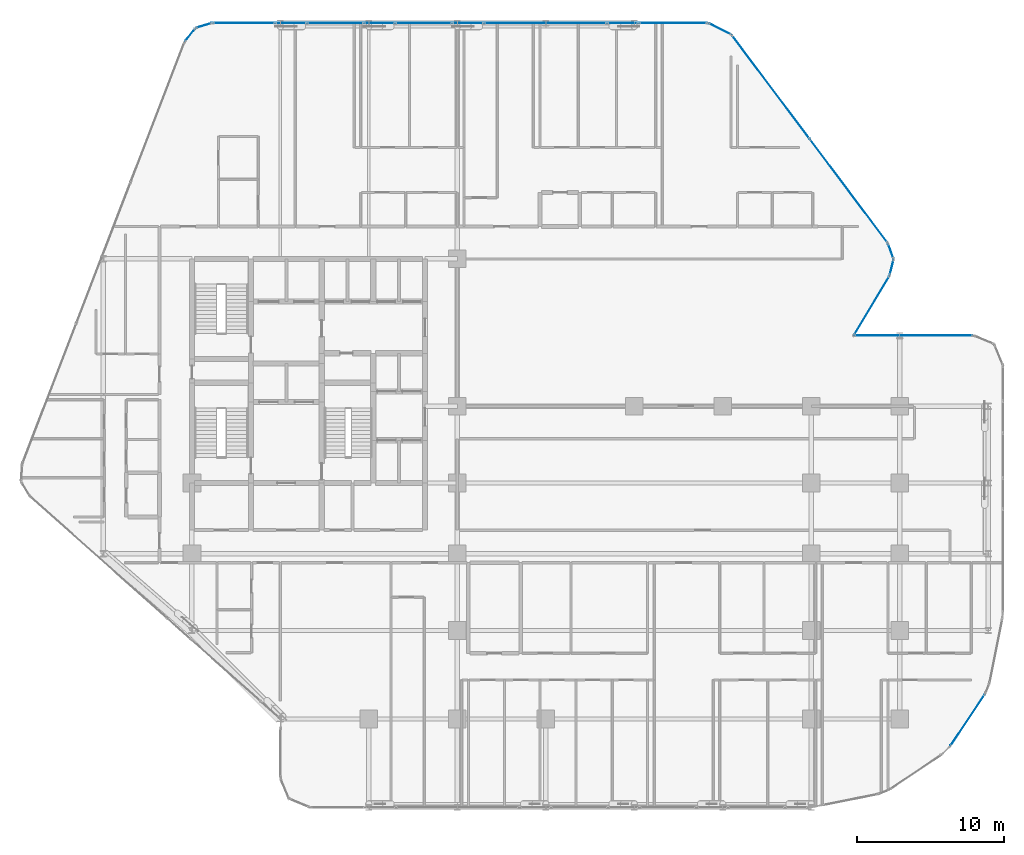
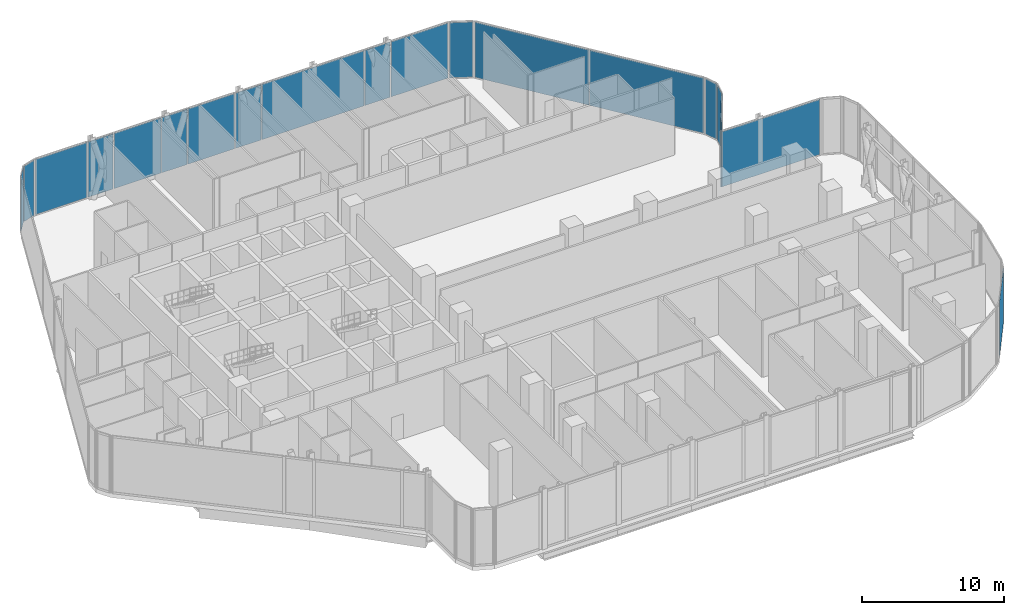
# One storey, part 25 of 36: 19 plates, 18 elements without a shape of their own.
"""IFC4 building model written with IfcOpenShell, lengths in metres."""

from ifc_helpers import new_model, si_unit, direction, frame, origin, origin_2d, place, context, subcontext, project, spatial, rectangle, extrude, material, layer, layer_set, type_object, element, aggregate, save


model = new_model("IFC4")

# Units and contexts
model_context = context("Model", 3, precision=1e-05, world=origin(), true_north=direction((0.0, 1.0)))
body_context = subcontext(model_context, "Body", "Model", "MODEL_VIEW")
ifc_project = project(units=[si_unit("LENGTHUNIT", "METRE"), si_unit("AREAUNIT", "SQUARE_METRE"), si_unit("VOLUMEUNIT", "CUBIC_METRE"), si_unit("PLANEANGLEUNIT", "RADIAN"), si_unit("MASSUNIT", "GRAM", prefix="KILO")], contexts=[model_context])

# Site, building, storey
site_placement = place(None, origin())
site = spatial("IfcSite", under=ifc_project, at=site_placement, CompositionType="ELEMENT")
building_placement = place(site_placement, origin())
building = spatial("IfcBuilding", under=site, at=building_placement, Name="Keshet Zoharim Tower", CompositionType="ELEMENT")
storey_placement = place(building_placement, frame((0.0, 0.0, 81.199951171875)))
storey = spatial("IfcBuildingStorey", under=building, at=storey_placement, Name="L19", CompositionType="ELEMENT", Elevation=81.199951171875)

# Curtain wall, plate
ifc_material_1 = material(Name="Aluminium 6063-T6", Category="aluminium")
ifc_layer_1 = layer(ifc_material_1, 0.179931640625)
ifc_layer_set_1 = layer_set([ifc_layer_1], Name="Aluminium 6063-T6")
curtain_wall_type_1 = type_object("IfcCurtainWallType", Name="CW-SYS-01", PredefinedType="NOTDEFINED", material=ifc_layer_set_1)
curtain_wall_1_placement = place(storey_placement, origin())
curtain_wall_1 = element("IfcCurtainWall", 1, at=curtain_wall_1_placement, inside=storey, type_object=curtain_wall_type_1, Name="L19 Unitised Curtain Wall 05", PredefinedType="NOTDEFINED")
ifc_material_2 = material(Name="Insulated Low-E Clear Glass", Category="glass")
ifc_layer_2 = layer(ifc_material_2, 0.035888671875)
ifc_layer_set_2 = layer_set([ifc_layer_2], Name="Insulated Low-E Clear Glass")
plate_type_1 = type_object("IfcPlateType", Name="CWP-01", PredefinedType="CURTAIN_PANEL", material=ifc_layer_set_2)
plate_1_placement = place(storey_placement, frame((14.8740234375, 53.08349609375, 0.070068359375), z_axis=(0.0, 0.0, 1.0), x_axis=(0.619124525989, 0.785292825205, 0.0)))
plate_1 = element("IfcPlate", 2, at=plate_1_placement, type_object=plate_type_1, Name="CW-01 panel 1.1", PredefinedType="CURTAIN_PANEL", context=body_context, shape_type="SweptSolid", body=[
    extrude(rectangle(XDim=1.045654296875, YDim=0.035888671875, at=origin_2d()), origin(), (0.0, 0.0, 1.0), 4.7451171875),
])
aggregate(curtain_wall_1, [plate_1])

curtain_wall_2_placement = place(storey_placement, origin())
curtain_wall_2 = element("IfcCurtainWall", 3, at=curtain_wall_2_placement, inside=storey, type_object=curtain_wall_type_1, Name="L19 Unitised Curtain Wall 06", PredefinedType="NOTDEFINED")
plate_2_placement = place(storey_placement, frame((15.8076171875, 53.724609375, 0.070068359375), z_axis=(0.0, 0.0, 1.0), x_axis=(0.955212151288, 0.295921857984, 0.0)))
plate_2 = element("IfcPlate", 4, at=plate_2_placement, type_object=plate_type_1, Name="CW-01 panel 1.1", PredefinedType="CURTAIN_PANEL", context=body_context, shape_type="SweptSolid", body=[
    extrude(rectangle(XDim=1.046142578125, YDim=0.035888671875, at=origin_2d()), origin(), (0.0, 0.0, 1.0), 4.7451171875),
])
aggregate(curtain_wall_2, [plate_2])

curtain_wall_3_placement = place(storey_placement, origin())
curtain_wall_3 = element("IfcCurtainWall", 5, at=curtain_wall_3_placement, inside=storey, type_object=curtain_wall_type_1, Name="L19 Unitised Curtain Wall 12", PredefinedType="NOTDEFINED")
plate_3_placement = place(storey_placement, frame((61.093994140625, 34.723388671875, 0.070068359375), z_axis=(0.0, 0.0, 1.0), x_axis=(-0.51446459506, -0.857511621163, 0.0)))
plate_3 = element("IfcPlate", 6, at=plate_3_placement, type_object=plate_type_1, Name="CW-01 panel 1.1", PredefinedType="CURTAIN_PANEL", context=body_context, shape_type="SweptSolid", body=[
    extrude(rectangle(XDim=4.57958984375, YDim=0.035888671875, at=origin_2d()), origin(), (0.0, 0.0, 1.0), 4.7451171875),
])
aggregate(curtain_wall_3, [plate_3])

curtain_wall_4_placement = place(storey_placement, origin())
curtain_wall_4 = element("IfcCurtainWall", 7, at=curtain_wall_4_placement, inside=storey, type_object=curtain_wall_type_1, Name="L19 Unitised Curtain Wall 20", PredefinedType="NOTDEFINED")
plate_4_placement = place(storey_placement, frame((67.60107421875, 6.615966796875, 0.070068359375), z_axis=(0.0, 0.0, 1.0), x_axis=(-0.555563243758, -0.831474282335, 0.0)))
plate_4 = element("IfcPlate", 8, at=plate_4_placement, type_object=plate_type_1, Name="CW-01 panel 1.1", PredefinedType="CURTAIN_PANEL", context=body_context, shape_type="SweptSolid", body=[
    extrude(rectangle(XDim=4.13671875, YDim=0.035888671875, at=origin_2d()), origin(), (0.0, 0.0, 1.0), 4.7451171875),
])
aggregate(curtain_wall_4, [plate_4])

ifc_layer_3 = layer(ifc_material_1, 0.169921875)
ifc_layer_set_3 = layer_set([ifc_layer_3], Name="Aluminium 6063-T6")
curtain_wall_type_2 = type_object("IfcCurtainWallType", Name="CW-SYS-02", PredefinedType="NOTDEFINED", material=ifc_layer_set_3)
curtain_wall_5_placement = place(storey_placement, origin())
curtain_wall_5 = element("IfcCurtainWall", 9, at=curtain_wall_5_placement, inside=storey, type_object=curtain_wall_type_2, Name="L19 Unitised Curtain Wall 07", PredefinedType="NOTDEFINED")
ifc_layer_4 = layer(ifc_material_2, 0.031982421875)
ifc_layer_set_4 = layer_set([ifc_layer_4], Name="Insulated Low-E Clear Glass")
plate_type_2 = type_object("IfcPlateType", Name="CWP-02", PredefinedType="CURTAIN_PANEL", material=ifc_layer_set_4)
plate_5_placement = place(storey_placement, frame((18.52783203125, 53.89990234375, 0.070068359375), z_axis=(0.0, 0.0, 1.0), x_axis=(1.0, 0.0, 0.0)))
plate_5 = element("IfcPlate", 10, at=plate_5_placement, type_object=plate_type_2, Name="CW-02 panel 1.1", PredefinedType="CURTAIN_PANEL", context=body_context, shape_type="SweptSolid", body=[
    extrude(rectangle(XDim=4.16748046875, YDim=0.031982421875, at=origin_2d()), origin(), (0.0, 0.0, 1.0), 4.7451171875),
])
aggregate(curtain_wall_5, [plate_5])

curtain_wall_6_placement = place(storey_placement, origin())
curtain_wall_6 = element("IfcCurtainWall", 11, at=curtain_wall_6_placement, inside=storey, type_object=curtain_wall_type_2, Name="L19 Unitised Curtain Wall 07 Part 3", PredefinedType="NOTDEFINED")
plate_6_placement = place(storey_placement, frame((24.715087890625, 53.89990234375, 0.070068359375), z_axis=(0.0, 0.0, 1.0), x_axis=(1.0, 0.0, 0.0)))
plate_6 = element("IfcPlate", 12, at=plate_6_placement, type_object=plate_type_2, Name="CW-02 panel 1.1", PredefinedType="CURTAIN_PANEL", context=body_context, shape_type="SweptSolid", body=[
    extrude(rectangle(XDim=3.793212890625, YDim=0.031982421875, at=origin_2d()), origin(), (0.0, 0.0, 1.0), 4.7451171875),
])
aggregate(curtain_wall_6, [plate_6])

curtain_wall_7_placement = place(storey_placement, origin())
curtain_wall_7 = element("IfcCurtainWall", 13, at=curtain_wall_7_placement, inside=storey, type_object=curtain_wall_type_2, Name="L19 Unitised Curtain Wall 07 Part 5", PredefinedType="NOTDEFINED")
plate_7_placement = place(storey_placement, frame((30.715087890625, 53.89990234375, 0.070068359375), z_axis=(0.0, 0.0, 1.0), x_axis=(1.0, 0.0, 0.0)))
plate_7 = element("IfcPlate", 14, at=plate_7_placement, type_object=plate_type_2, Name="CW-02 panel 1.1", PredefinedType="CURTAIN_PANEL", context=body_context, shape_type="SweptSolid", body=[
    extrude(rectangle(XDim=3.793212890625, YDim=0.031982421875, at=origin_2d()), origin(), (0.0, 0.0, 1.0), 4.7451171875),
])
aggregate(curtain_wall_7, [plate_7])

curtain_wall_8_placement = place(storey_placement, origin())
curtain_wall_8 = element("IfcCurtainWall", 15, at=curtain_wall_8_placement, inside=storey, type_object=curtain_wall_type_2, Name="L19 Unitised Curtain Wall 07 Part 7", PredefinedType="NOTDEFINED")
plate_8_placement = place(storey_placement, frame((38.965087890625, 53.89990234375, 0.070068359375), z_axis=(0.0, 0.0, 1.0), x_axis=(1.0, 0.0, 0.0)))
plate_8 = element("IfcPlate", 16, at=plate_8_placement, type_object=plate_type_2, Name="CW-02 panel 1.1", PredefinedType="CURTAIN_PANEL", context=body_context, shape_type="SweptSolid", body=[
    extrude(rectangle(XDim=8.293212890625, YDim=0.031982421875, at=origin_2d()), origin(), (0.0, 0.0, 1.0), 4.7451171875),
])
aggregate(curtain_wall_8, [plate_8])

curtain_wall_9_placement = place(storey_placement, origin())
curtain_wall_9 = element("IfcCurtainWall", 17, at=curtain_wall_9_placement, inside=storey, type_object=curtain_wall_type_2, Name="L19 Unitised Curtain Wall 07 Part 9", PredefinedType="NOTDEFINED")
plate_9_placement = place(storey_placement, frame((47.624267578125, 53.89990234375, 0.070068359375), z_axis=(0.0, 0.0, 1.0), x_axis=(1.0, 0.0, 0.0)))
plate_9 = element("IfcPlate", 18, at=plate_9_placement, type_object=plate_type_2, Name="CW-02 panel 1.1", PredefinedType="CURTAIN_PANEL", context=body_context, shape_type="SweptSolid", body=[
    extrude(rectangle(XDim=4.611572265625, YDim=0.031982421875, at=origin_2d()), origin(), (0.0, 0.0, 1.0), 4.7451171875),
])
aggregate(curtain_wall_9, [plate_9])

curtain_wall_10_placement = place(storey_placement, origin())
curtain_wall_10 = element("IfcCurtainWall", 19, at=curtain_wall_10_placement, inside=storey, type_object=curtain_wall_type_2, Name="L19 Unitised Curtain Wall 08", PredefinedType="NOTDEFINED")
plate_10_placement = place(storey_placement, frame((50.800048828125, 53.5, 0.070068359375), z_axis=(0.0, 0.0, 1.0), x_axis=(0.894427191001, -0.447213595499, 0.0)))
plate_10 = element("IfcPlate", 20, at=plate_10_placement, type_object=plate_type_2, Name="CW-02 panel 1.1", PredefinedType="CURTAIN_PANEL", context=body_context, shape_type="SweptSolid", body=[
    extrude(rectangle(XDim=1.64892578125, YDim=0.031982421875, at=origin_2d()), origin(), (0.0, 0.0, 1.0), 4.7451171875),
])
aggregate(curtain_wall_10, [plate_10])

# Curtain wall, plates
curtain_wall_11_placement = place(storey_placement, origin())
curtain_wall_11 = element("IfcCurtainWall", 21, at=curtain_wall_11_placement, inside=storey, type_object=curtain_wall_type_2, Name="L19 Unitised Curtain Wall 09", PredefinedType="NOTDEFINED")
plate_11_placement = place(storey_placement, frame((54.2587890625, 49.554931640625, 0.070068359375), z_axis=(0.0, 0.0, 1.0), x_axis=(0.600000000002, -0.799999999998, 0.0)))
plate_11 = element("IfcPlate", 22, at=plate_11_placement, type_object=plate_type_2, Name="CW-02 panel 1.1", PredefinedType="CURTAIN_PANEL", context=body_context, shape_type="SweptSolid", body=[
    extrude(rectangle(XDim=8.722412109375, YDim=0.031982421875, at=origin_2d()), origin(), (0.0, 0.0, 1.0), 4.7451171875),
])
plate_12_placement = place(storey_placement, frame((59.5341796875, 42.52099609375, 0.070068359375), z_axis=(0.0, 0.0, 1.0), x_axis=(0.600000000002, -0.799999999998, 0.0)))
plate_12 = element("IfcPlate", 23, at=plate_12_placement, type_object=plate_type_2, Name="CW-02 panel 2.1", PredefinedType="CURTAIN_PANEL", context=body_context, shape_type="SweptSolid", body=[
    extrude(rectangle(XDim=8.722412109375, YDim=0.031982421875, at=origin_2d()), origin(), (0.0, 0.0, 1.0), 4.7451171875),
])
aggregate(curtain_wall_11, [plate_11, plate_12])

# Curtain wall, plate
curtain_wall_12_placement = place(storey_placement, origin())
curtain_wall_12 = element("IfcCurtainWall", 24, at=curtain_wall_12_placement, inside=storey, type_object=curtain_wall_type_2, Name="L19 Unitised Curtain Wall 10", PredefinedType="NOTDEFINED")
plate_13_placement = place(storey_placement, frame((62.3916015625, 38.427490234375, 0.070068359375), z_axis=(0.0, 0.0, 1.0), x_axis=(0.340297354046, -0.940317877544, 0.0)))
plate_13 = element("IfcPlate", 25, at=plate_13_placement, type_object=plate_type_2, Name="CW-02 panel 1.1", PredefinedType="CURTAIN_PANEL", context=body_context, shape_type="SweptSolid", body=[
    extrude(rectangle(XDim=1.026611328125, YDim=0.031982421875, at=origin_2d()), origin(), (0.0, 0.0, 1.0), 4.7451171875),
])
aggregate(curtain_wall_12, [plate_13])

curtain_wall_13_placement = place(storey_placement, origin())
curtain_wall_13 = element("IfcCurtainWall", 26, at=curtain_wall_13_placement, inside=storey, type_object=curtain_wall_type_2, Name="L19 Unitised Curtain Wall 11", PredefinedType="NOTDEFINED")
plate_14_placement = place(storey_placement, frame((62.448974609375, 37.31298828125, 0.070068359375), z_axis=(0.0, 0.0, 1.0), x_axis=(-0.241728770141, -0.970343857447, 0.0)))
plate_14 = element("IfcPlate", 27, at=plate_14_placement, type_object=plate_type_2, Name="CW-02 panel 1.1", PredefinedType="CURTAIN_PANEL", context=body_context, shape_type="SweptSolid", body=[
    extrude(rectangle(XDim=1.026611328125, YDim=0.031982421875, at=origin_2d()), origin(), (0.0, 0.0, 1.0), 4.7451171875),
])
aggregate(curtain_wall_13, [plate_14])

curtain_wall_14_placement = place(storey_placement, origin())
curtain_wall_14 = element("IfcCurtainWall", 28, at=curtain_wall_14_placement, inside=storey, type_object=curtain_wall_type_2, Name="L19 Unitised Curtain Wall 13", PredefinedType="NOTDEFINED")
plate_15_placement = place(storey_placement, frame((63.93994140625, 32.699951171875, 0.070068359375), z_axis=(0.0, 0.0, 1.0), x_axis=(1.0, 0.0, 0.0)))
plate_15 = element("IfcPlate", 29, at=plate_15_placement, type_object=plate_type_2, Name="CW-02 panel 1.1", PredefinedType="CURTAIN_PANEL", context=body_context, shape_type="SweptSolid", body=[
    extrude(rectangle(XDim=7.97998046875, YDim=0.031982421875, at=origin_2d()), origin(), (0.0, 0.0, 1.0), 4.7451171875),
])
aggregate(curtain_wall_14, [plate_15])

curtain_wall_15_placement = place(storey_placement, origin())
curtain_wall_15 = element("IfcCurtainWall", 30, at=curtain_wall_15_placement, inside=storey, type_object=curtain_wall_type_2, Name="L19 Unitised Curtain Wall 07 Part 2", PredefinedType="NOTDEFINED")
ifc_material_3 = material(Name="Insulated Aluminium Spandrel Panel", Category="aluminium")
ifc_layer_5 = layer(ifc_material_3, 0.031982421875)
ifc_layer_set_5 = layer_set([ifc_layer_5], Name="Insulated Aluminium Spandrel Panel")
plate_type_3 = type_object("IfcPlateType", Name="CWP-05", PredefinedType="CURTAIN_PANEL", material=ifc_layer_set_5)
plate_16_placement = place(storey_placement, frame((21.715087890625, 53.89990234375, 0.070068359375), z_axis=(0.0, 0.0, 1.0), x_axis=(1.0, 0.0, 0.0)))
plate_16 = element("IfcPlate", 31, at=plate_16_placement, type_object=plate_type_3, Name="CW-02 spandrel panel 1.1", PredefinedType="CURTAIN_PANEL", context=body_context, shape_type="SweptSolid", body=[
    extrude(rectangle(XDim=2.06689453125, YDim=0.031982421875, at=origin_2d()), origin(), (0.0, 0.0, 1.0), 4.7451171875),
])
aggregate(curtain_wall_15, [plate_16])

curtain_wall_16_placement = place(storey_placement, origin())
curtain_wall_16 = element("IfcCurtainWall", 32, at=curtain_wall_16_placement, inside=storey, type_object=curtain_wall_type_2, Name="L19 Unitised Curtain Wall 07 Part 4", PredefinedType="NOTDEFINED")
plate_17_placement = place(storey_placement, frame((27.715087890625, 53.89990234375, 0.070068359375), z_axis=(0.0, 0.0, 1.0), x_axis=(1.0, 0.0, 0.0)))
plate_17 = element("IfcPlate", 33, at=plate_17_placement, type_object=plate_type_3, Name="CW-02 spandrel panel 1.1", PredefinedType="CURTAIN_PANEL", context=body_context, shape_type="SweptSolid", body=[
    extrude(rectangle(XDim=2.06689453125, YDim=0.031982421875, at=origin_2d()), origin(), (0.0, 0.0, 1.0), 4.7451171875),
])
aggregate(curtain_wall_16, [plate_17])

curtain_wall_17_placement = place(storey_placement, origin())
curtain_wall_17 = element("IfcCurtainWall", 34, at=curtain_wall_17_placement, inside=storey, type_object=curtain_wall_type_2, Name="L19 Unitised Curtain Wall 07 Part 6", PredefinedType="NOTDEFINED")
plate_18_placement = place(storey_placement, frame((33.715087890625, 53.89990234375, 0.070068359375), z_axis=(0.0, 0.0, 1.0), x_axis=(1.0, 0.0, 0.0)))
plate_18 = element("IfcPlate", 35, at=plate_18_placement, type_object=plate_type_3, Name="CW-02 spandrel panel 1.1", PredefinedType="CURTAIN_PANEL", context=body_context, shape_type="SweptSolid", body=[
    extrude(rectangle(XDim=2.06689453125, YDim=0.031982421875, at=origin_2d()), origin(), (0.0, 0.0, 1.0), 4.7451171875),
])
aggregate(curtain_wall_17, [plate_18])

curtain_wall_18_placement = place(storey_placement, origin())
curtain_wall_18 = element("IfcCurtainWall", 36, at=curtain_wall_18_placement, inside=storey, type_object=curtain_wall_type_2, Name="L19 Unitised Curtain Wall 07 Part 8", PredefinedType="NOTDEFINED")
plate_19_placement = place(storey_placement, frame((44.215087890625, 53.89990234375, 0.070068359375), z_axis=(0.0, 0.0, 1.0), x_axis=(1.0, 0.0, 0.0)))
plate_19 = element("IfcPlate", 37, at=plate_19_placement, type_object=plate_type_3, Name="CW-02 spandrel panel 1.1", PredefinedType="CURTAIN_PANEL", context=body_context, shape_type="SweptSolid", body=[
    extrude(rectangle(XDim=2.06689453125, YDim=0.031982421875, at=origin_2d()), origin(), (0.0, 0.0, 1.0), 4.7451171875),
])
aggregate(curtain_wall_18, [plate_19])

save(model, "model.ifc")
